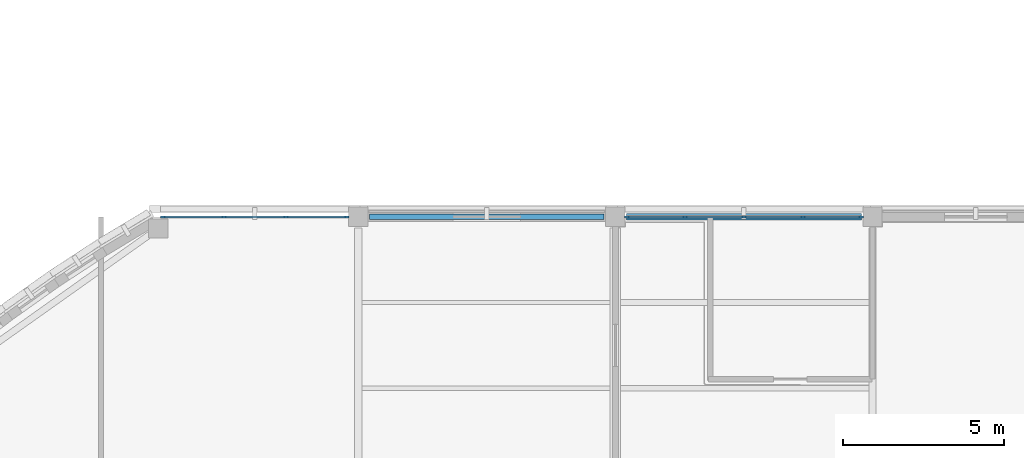
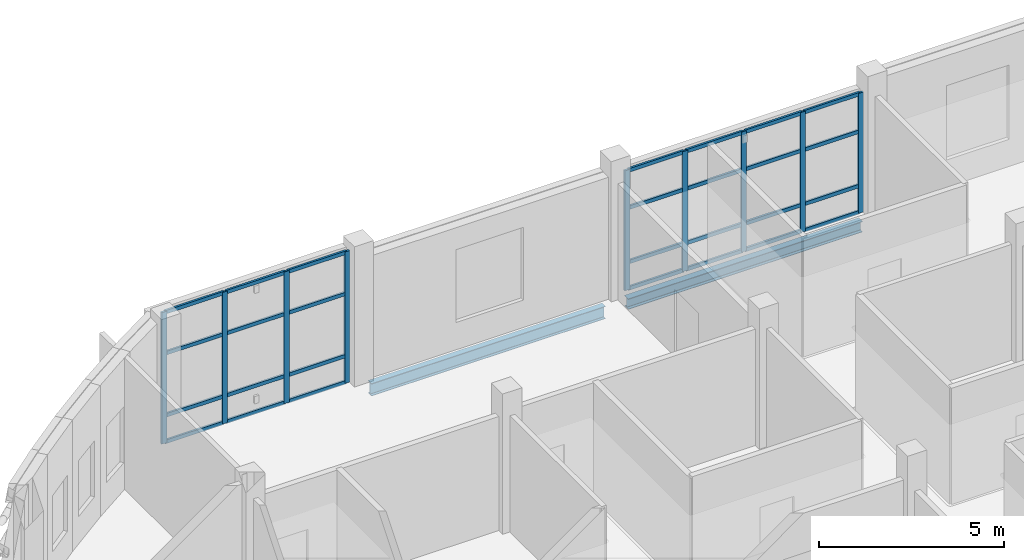
# One storey, part 41 of 121: 37 members, 2 beams, 2 elements without a shape of their own.
"""IFC4 building model written with IfcOpenShell, lengths in metres."""

from ifc_helpers import new_model, si_unit, derived_unit, direction, frame, origin, origin_2d, place, context, subcontext, project, spatial, rectangle, i_section, extrude, material, layer, layer_set, material_profile, profile_set, type_object, element, aggregate, save


model = new_model("IFC4")

# Units and contexts
model_context = context("Model", 3, precision=1e-05, world=origin(), true_north=direction((0.0, 1.0)))
body_context = subcontext(model_context, "Body", "Model", "MODEL_VIEW")
ifc_project = project(units=[si_unit("LENGTHUNIT", "METRE"), si_unit("AREAUNIT", "SQUARE_METRE"), si_unit("VOLUMEUNIT", "CUBIC_METRE"), si_unit("PLANEANGLEUNIT", "RADIAN"), si_unit("MASSUNIT", "GRAM", prefix="KILO"), derived_unit("THERMALTRANSMITTANCEUNIT", [(si_unit("MASSUNIT", "GRAM", prefix="KILO"), 1), (si_unit("TIMEUNIT", "SECOND"), -3), (si_unit("THERMODYNAMICTEMPERATUREUNIT", "KELVIN"), -1)])], contexts=[model_context])

# Site, building, storey
site_placement = place(None, origin())
site = spatial("IfcSite", under=ifc_project, at=site_placement, CompositionType="ELEMENT")
building_placement = place(site_placement, origin())
building = spatial("IfcBuilding", under=site, at=building_placement, Name="Veyamyaing Civic Hall", CompositionType="ELEMENT")
storey_placement = place(building_placement, frame((0.0, 0.0, 5.280029296875)))
storey = spatial("IfcBuildingStorey", under=building, at=storey_placement, Name="L01", CompositionType="ELEMENT", Elevation=5.280029296875)

# Beams
ifc_material_1 = material(Name="Steel ASTM A992", Category="steel")
ifc_material_profile_1 = material_profile(ifc_material_1, i_section(OverallWidth=0.179931640625, OverallDepth=0.4130859375, WebThickness=0.009765625, FlangeThickness=0.01611328125, FilletRadius=0.010009765625, at=origin_2d()), Name="W410X74")
ifc_profile_set_1 = profile_set([ifc_material_profile_1], Name="Steel ASTM A992")
beam_type_1 = type_object("IfcBeamType", Name="B-10", PredefinedType="SPANDREL", material=ifc_profile_set_1)
beam_1_placement = place(storey_placement, frame((80.35009765625, 96.0, -0.451416015625), z_axis=(1.0, 0.0, 0.0), x_axis=(0.0, 1.0, 0.0)))
element("IfcBeam", 1, at=beam_1_placement, inside=storey, type_object=beam_type_1, Name="Girder B-10 L01 Grid N 11-12", PredefinedType="SPANDREL", context=body_context, shape_type="SweptSolid", body=[
    extrude(i_section(OverallWidth=0.179931640625, OverallDepth=0.4130859375, WebThickness=0.009765625, FlangeThickness=0.01611328125, FilletRadius=0.010009765625, at=origin_2d()), origin(), (0.0, 0.0, 1.0), 7.2998046875),
])
ifc_material_profile_2 = material_profile(ifc_material_1, i_section(OverallWidth=0.2041015625, OverallDepth=0.35009765625, WebThickness=0.0078125, FlangeThickness=0.01513671875, FilletRadius=0.010009765625, at=origin_2d()), Name="W360X72")
ifc_profile_set_2 = profile_set([ifc_material_profile_2], Name="Steel ASTM A992")
beam_type_2 = type_object("IfcBeamType", Name="B-11", PredefinedType="SPANDREL", material=ifc_profile_set_2)
beam_2_placement = place(storey_placement, frame((88.35009765625, 96.0, -0.419921875), z_axis=(1.0, 0.0, 0.0), x_axis=(0.0, 1.0, 0.0)))
element("IfcBeam", 2, at=beam_2_placement, inside=storey, type_object=beam_type_2, Name="Girder B-11 L01 Grid N 12-13", PredefinedType="SPANDREL", context=body_context, shape_type="SweptSolid", body=[
    extrude(i_section(OverallWidth=0.2041015625, OverallDepth=0.35009765625, WebThickness=0.0078125, FlangeThickness=0.01513671875, FilletRadius=0.010009765625, at=origin_2d()), origin(), (0.0, 0.0, 1.0), 7.2998046875),
])

# Curtain wall, members
ifc_material_2 = material(Name="Anodised aluminium 6063-T6", Category="aluminium")
ifc_layer = layer(ifc_material_2, 0.159912109375, Name="Anodised aluminium 6063-T6")
ifc_layer_set = layer_set([ifc_layer], Name="Anodised aluminium 6063-T6")
curtain_wall_type = type_object("IfcCurtainWallType", Name="CW-02", PredefinedType="NOTDEFINED", material=ifc_layer_set)
curtain_wall_1_placement = place(storey_placement, origin())
curtain_wall_1 = element("IfcCurtainWall", 3, at=curtain_wall_1_placement, inside=storey, type_object=curtain_wall_type, Name="Unitized curtain wall CW-02 L01 N 10.12", PredefinedType="NOTDEFINED")
ifc_material_profile_3 = material_profile(ifc_material_2, rectangle(XDim=0.06494140625, YDim=0.159912109375, at=origin_2d()), Name="ALU-MUL-65X160")
ifc_profile_set_3 = profile_set([ifc_material_profile_3], Name="Anodised aluminium 6063-T6")
member_type_1 = type_object("IfcMemberType", Name="CWM-01", PredefinedType="MULLION", material=ifc_profile_set_3)
member_1_placement = place(storey_placement, frame((73.931640625, 96.0, 0.0), z_axis=(0.0, 0.0, 1.0), x_axis=(0.0, 1.0, 0.0)))
member_1 = element("IfcMember", 4, at=member_1_placement, type_object=member_type_1, Name="CW-02 mullion 1", PredefinedType="MULLION", context=body_context, shape_type="SweptSolid", body=[
    extrude(rectangle(XDim=0.06494140625, YDim=0.159912109375, at=origin_2d()), origin(), (0.0, 0.0, 1.0), 4.3349609375),
])
member_2_placement = place(storey_placement, frame((75.82275390625, 96.0, 0.0), z_axis=(0.0, 0.0, 1.0), x_axis=(0.0, 1.0, 0.0)))
member_2 = element("IfcMember", 5, at=member_2_placement, type_object=member_type_1, Name="CW-02 mullion 2", PredefinedType="MULLION", context=body_context, shape_type="SweptSolid", body=[
    extrude(rectangle(XDim=0.06494140625, YDim=0.159912109375, at=origin_2d()), origin(), (0.0, 0.0, 1.0), 4.3349609375),
])
member_3_placement = place(storey_placement, frame((77.746337890625, 96.0, 0.0), z_axis=(0.0, 0.0, 1.0), x_axis=(0.0, 1.0, 0.0)))
member_3 = element("IfcMember", 6, at=member_3_placement, type_object=member_type_1, Name="CW-02 mullion 3", PredefinedType="MULLION", context=body_context, shape_type="SweptSolid", body=[
    extrude(rectangle(XDim=0.06494140625, YDim=0.159912109375, at=origin_2d()), origin(), (0.0, 0.0, 1.0), 4.3349609375),
])
member_4_placement = place(storey_placement, frame((79.637451171875, 96.0, 0.0), z_axis=(0.0, 0.0, 1.0), x_axis=(0.0, 1.0, 0.0)))
member_4 = element("IfcMember", 7, at=member_4_placement, type_object=member_type_1, Name="CW-02 mullion 4", PredefinedType="MULLION", context=body_context, shape_type="SweptSolid", body=[
    extrude(rectangle(XDim=0.06494140625, YDim=0.159912109375, at=origin_2d()), origin(), (0.0, 0.0, 1.0), 4.3349609375),
])

curtain_wall_2_placement = place(storey_placement, origin())
curtain_wall_2 = element("IfcCurtainWall", 8, at=curtain_wall_2_placement, inside=storey, type_object=curtain_wall_type, Name="Unitized curtain wall CW-02 L01 N 12.12", PredefinedType="NOTDEFINED")
member_5_placement = place(storey_placement, frame((88.362548828125, 96.0, 0.0), z_axis=(0.0, 0.0, 1.0), x_axis=(0.0, 1.0, 0.0)))
member_5 = element("IfcMember", 9, at=member_5_placement, type_object=member_type_1, Name="CW-02 mullion 1", PredefinedType="MULLION", context=body_context, shape_type="SweptSolid", body=[
    extrude(rectangle(XDim=0.06494140625, YDim=0.159912109375, at=origin_2d()), origin(), (0.0, 0.0, 1.0), 3.955078125),
])
member_6_placement = place(storey_placement, frame((90.1650390625, 96.0, 0.0), z_axis=(0.0, 0.0, 1.0), x_axis=(0.0, 1.0, 0.0)))
member_6 = element("IfcMember", 10, at=member_6_placement, type_object=member_type_1, Name="CW-02 mullion 2", PredefinedType="MULLION", context=body_context, shape_type="SweptSolid", body=[
    extrude(rectangle(XDim=0.06494140625, YDim=0.159912109375, at=origin_2d()), origin(), (0.0, 0.0, 1.0), 3.955078125),
])
member_7_placement = place(storey_placement, frame((92.0, 96.0, 0.0), z_axis=(0.0, 0.0, 1.0), x_axis=(0.0, 1.0, 0.0)))
member_7 = element("IfcMember", 11, at=member_7_placement, type_object=member_type_1, Name="CW-02 mullion 3", PredefinedType="MULLION", context=body_context, shape_type="SweptSolid", body=[
    extrude(rectangle(XDim=0.06494140625, YDim=0.159912109375, at=origin_2d()), origin(), (0.0, 0.0, 1.0), 3.955078125),
])
member_8_placement = place(storey_placement, frame((93.8349609375, 96.0, 0.0), z_axis=(0.0, 0.0, 1.0), x_axis=(0.0, 1.0, 0.0)))
member_8 = element("IfcMember", 12, at=member_8_placement, type_object=member_type_1, Name="CW-02 mullion 4", PredefinedType="MULLION", context=body_context, shape_type="SweptSolid", body=[
    extrude(rectangle(XDim=0.06494140625, YDim=0.159912109375, at=origin_2d()), origin(), (0.0, 0.0, 1.0), 3.955078125),
])
member_9_placement = place(storey_placement, frame((95.637451171875, 96.0, 0.0), z_axis=(0.0, 0.0, 1.0), x_axis=(0.0, 1.0, 0.0)))
member_9 = element("IfcMember", 13, at=member_9_placement, type_object=member_type_1, Name="CW-02 mullion 5", PredefinedType="MULLION", context=body_context, shape_type="SweptSolid", body=[
    extrude(rectangle(XDim=0.06494140625, YDim=0.159912109375, at=origin_2d()), origin(), (0.0, 0.0, 1.0), 3.955078125),
])

# Member
ifc_material_profile_4 = material_profile(ifc_material_2, rectangle(XDim=0.06494140625, YDim=0.1201171875, at=origin_2d()), Name="ALU-TRN-65X120")
ifc_profile_set_4 = profile_set([ifc_material_profile_4], Name="Anodised aluminium 6063-T6")
member_type_2 = type_object("IfcMemberType", Name="CWT-01", PredefinedType="USERDEFINED", material=ifc_profile_set_4)
member_10_placement = place(storey_placement, frame((73.964111328125, 96.0, 0.032470703125), z_axis=(1.0, 0.0, 0.0), x_axis=(0.0, 1.0, 0.0)))
member_10 = element("IfcMember", 14, at=member_10_placement, type_object=member_type_2, Name="CW-02 transom 1.1", ObjectType="TRANSOM", PredefinedType="USERDEFINED", context=body_context, shape_type="SweptSolid", body=[
    extrude(rectangle(XDim=0.06494140625, YDim=0.1201171875, at=origin_2d()), origin(), (0.0, 0.0, 1.0), 1.826171875),
])

member_11_placement = place(storey_placement, frame((73.964111328125, 96.0, 0.89990234375), z_axis=(1.0, 0.0, 0.0), x_axis=(0.0, 1.0, 0.0)))
member_11 = element("IfcMember", 15, at=member_11_placement, type_object=member_type_2, Name="CW-02 transom 1.2", ObjectType="TRANSOM", PredefinedType="USERDEFINED", context=body_context, shape_type="SweptSolid", body=[
    extrude(rectangle(XDim=0.06494140625, YDim=0.1201171875, at=origin_2d()), origin(), (0.0, 0.0, 1.0), 1.826171875),
])

member_12_placement = place(storey_placement, frame((73.964111328125, 96.0, 2.94775390625), z_axis=(1.0, 0.0, 0.0), x_axis=(0.0, 1.0, 0.0)))
member_12 = element("IfcMember", 16, at=member_12_placement, type_object=member_type_2, Name="CW-02 transom 1.3", ObjectType="TRANSOM", PredefinedType="USERDEFINED", context=body_context, shape_type="SweptSolid", body=[
    extrude(rectangle(XDim=0.06494140625, YDim=0.1201171875, at=origin_2d()), origin(), (0.0, 0.0, 1.0), 1.826171875),
])

member_13_placement = place(storey_placement, frame((73.964111328125, 96.0, 4.302490234375), z_axis=(1.0, 0.0, 0.0), x_axis=(0.0, 1.0, 0.0)))
member_13 = element("IfcMember", 17, at=member_13_placement, type_object=member_type_2, Name="CW-02 transom 1.4", ObjectType="TRANSOM", PredefinedType="USERDEFINED", context=body_context, shape_type="SweptSolid", body=[
    extrude(rectangle(XDim=0.06494140625, YDim=0.1201171875, at=origin_2d()), origin(), (0.0, 0.0, 1.0), 1.826171875),
])

member_14_placement = place(storey_placement, frame((75.855224609375, 96.0, 0.032470703125), z_axis=(1.0, 0.0, 0.0), x_axis=(0.0, 1.0, 0.0)))
member_14 = element("IfcMember", 18, at=member_14_placement, type_object=member_type_2, Name="CW-02 transom 2.1", ObjectType="TRANSOM", PredefinedType="USERDEFINED", context=body_context, shape_type="SweptSolid", body=[
    extrude(rectangle(XDim=0.06494140625, YDim=0.1201171875, at=origin_2d()), origin(), (0.0, 0.0, 1.0), 1.858642578125),
])

member_15_placement = place(storey_placement, frame((75.855224609375, 96.0, 0.89990234375), z_axis=(1.0, 0.0, 0.0), x_axis=(0.0, 1.0, 0.0)))
member_15 = element("IfcMember", 19, at=member_15_placement, type_object=member_type_2, Name="CW-02 transom 2.2", ObjectType="TRANSOM", PredefinedType="USERDEFINED", context=body_context, shape_type="SweptSolid", body=[
    extrude(rectangle(XDim=0.06494140625, YDim=0.1201171875, at=origin_2d()), origin(), (0.0, 0.0, 1.0), 1.858642578125),
])

member_16_placement = place(storey_placement, frame((75.855224609375, 96.0, 2.94775390625), z_axis=(1.0, 0.0, 0.0), x_axis=(0.0, 1.0, 0.0)))
member_16 = element("IfcMember", 20, at=member_16_placement, type_object=member_type_2, Name="CW-02 transom 2.3", ObjectType="TRANSOM", PredefinedType="USERDEFINED", context=body_context, shape_type="SweptSolid", body=[
    extrude(rectangle(XDim=0.06494140625, YDim=0.1201171875, at=origin_2d()), origin(), (0.0, 0.0, 1.0), 1.858642578125),
])

member_17_placement = place(storey_placement, frame((75.855224609375, 96.0, 4.302490234375), z_axis=(1.0, 0.0, 0.0), x_axis=(0.0, 1.0, 0.0)))
member_17 = element("IfcMember", 21, at=member_17_placement, type_object=member_type_2, Name="CW-02 transom 2.4", ObjectType="TRANSOM", PredefinedType="USERDEFINED", context=body_context, shape_type="SweptSolid", body=[
    extrude(rectangle(XDim=0.06494140625, YDim=0.1201171875, at=origin_2d()), origin(), (0.0, 0.0, 1.0), 1.858642578125),
])

member_18_placement = place(storey_placement, frame((77.77880859375, 96.0, 0.032470703125), z_axis=(1.0, 0.0, 0.0), x_axis=(0.0, 1.0, 0.0)))
member_18 = element("IfcMember", 22, at=member_18_placement, type_object=member_type_2, Name="CW-02 transom 3.1", ObjectType="TRANSOM", PredefinedType="USERDEFINED", context=body_context, shape_type="SweptSolid", body=[
    extrude(rectangle(XDim=0.06494140625, YDim=0.1201171875, at=origin_2d()), origin(), (0.0, 0.0, 1.0), 1.826171875),
])

member_19_placement = place(storey_placement, frame((77.77880859375, 96.0, 0.89990234375), z_axis=(1.0, 0.0, 0.0), x_axis=(0.0, 1.0, 0.0)))
member_19 = element("IfcMember", 23, at=member_19_placement, type_object=member_type_2, Name="CW-02 transom 3.2", ObjectType="TRANSOM", PredefinedType="USERDEFINED", context=body_context, shape_type="SweptSolid", body=[
    extrude(rectangle(XDim=0.06494140625, YDim=0.1201171875, at=origin_2d()), origin(), (0.0, 0.0, 1.0), 1.826171875),
])

member_20_placement = place(storey_placement, frame((77.77880859375, 96.0, 2.94775390625), z_axis=(1.0, 0.0, 0.0), x_axis=(0.0, 1.0, 0.0)))
member_20 = element("IfcMember", 24, at=member_20_placement, type_object=member_type_2, Name="CW-02 transom 3.3", ObjectType="TRANSOM", PredefinedType="USERDEFINED", context=body_context, shape_type="SweptSolid", body=[
    extrude(rectangle(XDim=0.06494140625, YDim=0.1201171875, at=origin_2d()), origin(), (0.0, 0.0, 1.0), 1.826171875),
])

member_21_placement = place(storey_placement, frame((77.77880859375, 96.0, 4.302490234375), z_axis=(1.0, 0.0, 0.0), x_axis=(0.0, 1.0, 0.0)))
member_21 = element("IfcMember", 25, at=member_21_placement, type_object=member_type_2, Name="CW-02 transom 3.4", ObjectType="TRANSOM", PredefinedType="USERDEFINED", context=body_context, shape_type="SweptSolid", body=[
    extrude(rectangle(XDim=0.06494140625, YDim=0.1201171875, at=origin_2d()), origin(), (0.0, 0.0, 1.0), 1.826171875),
])

aggregate(curtain_wall_1, [member_1, member_2, member_3, member_4, member_10, member_11, member_12, member_13, member_14, member_15, member_16, member_17, member_18, member_19, member_20, member_21])

member_22_placement = place(storey_placement, frame((88.39501953125, 96.0, 0.032470703125), z_axis=(1.0, 0.0, 0.0), x_axis=(0.0, 1.0, 0.0)))
member_22 = element("IfcMember", 26, at=member_22_placement, type_object=member_type_2, Name="CW-02 transom 1.1", ObjectType="TRANSOM", PredefinedType="USERDEFINED", context=body_context, shape_type="SweptSolid", body=[
    extrude(rectangle(XDim=0.06494140625, YDim=0.1201171875, at=origin_2d()), origin(), (0.0, 0.0, 1.0), 1.737548828125),
])

member_23_placement = place(storey_placement, frame((88.39501953125, 96.0, 0.89990234375), z_axis=(1.0, 0.0, 0.0), x_axis=(0.0, 1.0, 0.0)))
member_23 = element("IfcMember", 27, at=member_23_placement, type_object=member_type_2, Name="CW-02 transom 1.2", ObjectType="TRANSOM", PredefinedType="USERDEFINED", context=body_context, shape_type="SweptSolid", body=[
    extrude(rectangle(XDim=0.06494140625, YDim=0.1201171875, at=origin_2d()), origin(), (0.0, 0.0, 1.0), 1.737548828125),
])

member_24_placement = place(storey_placement, frame((88.39501953125, 96.0, 2.689453125), z_axis=(1.0, 0.0, 0.0), x_axis=(0.0, 1.0, 0.0)))
member_24 = element("IfcMember", 28, at=member_24_placement, type_object=member_type_2, Name="CW-02 transom 1.3", ObjectType="TRANSOM", PredefinedType="USERDEFINED", context=body_context, shape_type="SweptSolid", body=[
    extrude(rectangle(XDim=0.06494140625, YDim=0.1201171875, at=origin_2d()), origin(), (0.0, 0.0, 1.0), 1.737548828125),
])

member_25_placement = place(storey_placement, frame((88.39501953125, 96.0, 3.92236328125), z_axis=(1.0, 0.0, 0.0), x_axis=(0.0, 1.0, 0.0)))
member_25 = element("IfcMember", 29, at=member_25_placement, type_object=member_type_2, Name="CW-02 transom 1.4", ObjectType="TRANSOM", PredefinedType="USERDEFINED", context=body_context, shape_type="SweptSolid", body=[
    extrude(rectangle(XDim=0.06494140625, YDim=0.1201171875, at=origin_2d()), origin(), (0.0, 0.0, 1.0), 1.737548828125),
])

member_26_placement = place(storey_placement, frame((90.197509765625, 96.0, 0.032470703125), z_axis=(1.0, 0.0, 0.0), x_axis=(0.0, 1.0, 0.0)))
member_26 = element("IfcMember", 30, at=member_26_placement, type_object=member_type_2, Name="CW-02 transom 2.1", ObjectType="TRANSOM", PredefinedType="USERDEFINED", context=body_context, shape_type="SweptSolid", body=[
    extrude(rectangle(XDim=0.06494140625, YDim=0.1201171875, at=origin_2d()), origin(), (0.0, 0.0, 1.0), 1.77001953125),
])

member_27_placement = place(storey_placement, frame((90.197509765625, 96.0, 0.89990234375), z_axis=(1.0, 0.0, 0.0), x_axis=(0.0, 1.0, 0.0)))
member_27 = element("IfcMember", 31, at=member_27_placement, type_object=member_type_2, Name="CW-02 transom 2.2", ObjectType="TRANSOM", PredefinedType="USERDEFINED", context=body_context, shape_type="SweptSolid", body=[
    extrude(rectangle(XDim=0.06494140625, YDim=0.1201171875, at=origin_2d()), origin(), (0.0, 0.0, 1.0), 1.77001953125),
])

member_28_placement = place(storey_placement, frame((90.197509765625, 96.0, 2.689453125), z_axis=(1.0, 0.0, 0.0), x_axis=(0.0, 1.0, 0.0)))
member_28 = element("IfcMember", 32, at=member_28_placement, type_object=member_type_2, Name="CW-02 transom 2.3", ObjectType="TRANSOM", PredefinedType="USERDEFINED", context=body_context, shape_type="SweptSolid", body=[
    extrude(rectangle(XDim=0.06494140625, YDim=0.1201171875, at=origin_2d()), origin(), (0.0, 0.0, 1.0), 1.77001953125),
])

member_29_placement = place(storey_placement, frame((90.197509765625, 96.0, 3.92236328125), z_axis=(1.0, 0.0, 0.0), x_axis=(0.0, 1.0, 0.0)))
member_29 = element("IfcMember", 33, at=member_29_placement, type_object=member_type_2, Name="CW-02 transom 2.4", ObjectType="TRANSOM", PredefinedType="USERDEFINED", context=body_context, shape_type="SweptSolid", body=[
    extrude(rectangle(XDim=0.06494140625, YDim=0.1201171875, at=origin_2d()), origin(), (0.0, 0.0, 1.0), 1.77001953125),
])

member_30_placement = place(storey_placement, frame((92.032470703125, 96.0, 0.032470703125), z_axis=(1.0, 0.0, 0.0), x_axis=(0.0, 1.0, 0.0)))
member_30 = element("IfcMember", 34, at=member_30_placement, type_object=member_type_2, Name="CW-02 transom 3.1", ObjectType="TRANSOM", PredefinedType="USERDEFINED", context=body_context, shape_type="SweptSolid", body=[
    extrude(rectangle(XDim=0.06494140625, YDim=0.1201171875, at=origin_2d()), origin(), (0.0, 0.0, 1.0), 1.77001953125),
])

member_31_placement = place(storey_placement, frame((92.032470703125, 96.0, 0.89990234375), z_axis=(1.0, 0.0, 0.0), x_axis=(0.0, 1.0, 0.0)))
member_31 = element("IfcMember", 35, at=member_31_placement, type_object=member_type_2, Name="CW-02 transom 3.2", ObjectType="TRANSOM", PredefinedType="USERDEFINED", context=body_context, shape_type="SweptSolid", body=[
    extrude(rectangle(XDim=0.06494140625, YDim=0.1201171875, at=origin_2d()), origin(), (0.0, 0.0, 1.0), 1.77001953125),
])

member_32_placement = place(storey_placement, frame((92.032470703125, 96.0, 2.689453125), z_axis=(1.0, 0.0, 0.0), x_axis=(0.0, 1.0, 0.0)))
member_32 = element("IfcMember", 36, at=member_32_placement, type_object=member_type_2, Name="CW-02 transom 3.3", ObjectType="TRANSOM", PredefinedType="USERDEFINED", context=body_context, shape_type="SweptSolid", body=[
    extrude(rectangle(XDim=0.06494140625, YDim=0.1201171875, at=origin_2d()), origin(), (0.0, 0.0, 1.0), 1.77001953125),
])

member_33_placement = place(storey_placement, frame((92.032470703125, 96.0, 3.92236328125), z_axis=(1.0, 0.0, 0.0), x_axis=(0.0, 1.0, 0.0)))
member_33 = element("IfcMember", 37, at=member_33_placement, type_object=member_type_2, Name="CW-02 transom 3.4", ObjectType="TRANSOM", PredefinedType="USERDEFINED", context=body_context, shape_type="SweptSolid", body=[
    extrude(rectangle(XDim=0.06494140625, YDim=0.1201171875, at=origin_2d()), origin(), (0.0, 0.0, 1.0), 1.77001953125),
])

member_34_placement = place(storey_placement, frame((93.867431640625, 96.0, 0.032470703125), z_axis=(1.0, 0.0, 0.0), x_axis=(0.0, 1.0, 0.0)))
member_34 = element("IfcMember", 38, at=member_34_placement, type_object=member_type_2, Name="CW-02 transom 4.1", ObjectType="TRANSOM", PredefinedType="USERDEFINED", context=body_context, shape_type="SweptSolid", body=[
    extrude(rectangle(XDim=0.06494140625, YDim=0.1201171875, at=origin_2d()), origin(), (0.0, 0.0, 1.0), 1.737548828125),
])

member_35_placement = place(storey_placement, frame((93.867431640625, 96.0, 0.89990234375), z_axis=(1.0, 0.0, 0.0), x_axis=(0.0, 1.0, 0.0)))
member_35 = element("IfcMember", 39, at=member_35_placement, type_object=member_type_2, Name="CW-02 transom 4.2", ObjectType="TRANSOM", PredefinedType="USERDEFINED", context=body_context, shape_type="SweptSolid", body=[
    extrude(rectangle(XDim=0.06494140625, YDim=0.1201171875, at=origin_2d()), origin(), (0.0, 0.0, 1.0), 1.737548828125),
])

member_36_placement = place(storey_placement, frame((93.867431640625, 96.0, 2.689453125), z_axis=(1.0, 0.0, 0.0), x_axis=(0.0, 1.0, 0.0)))
member_36 = element("IfcMember", 40, at=member_36_placement, type_object=member_type_2, Name="CW-02 transom 4.3", ObjectType="TRANSOM", PredefinedType="USERDEFINED", context=body_context, shape_type="SweptSolid", body=[
    extrude(rectangle(XDim=0.06494140625, YDim=0.1201171875, at=origin_2d()), origin(), (0.0, 0.0, 1.0), 1.737548828125),
])

member_37_placement = place(storey_placement, frame((93.867431640625, 96.0, 3.92236328125), z_axis=(1.0, 0.0, 0.0), x_axis=(0.0, 1.0, 0.0)))
member_37 = element("IfcMember", 41, at=member_37_placement, type_object=member_type_2, Name="CW-02 transom 4.4", ObjectType="TRANSOM", PredefinedType="USERDEFINED", context=body_context, shape_type="SweptSolid", body=[
    extrude(rectangle(XDim=0.06494140625, YDim=0.1201171875, at=origin_2d()), origin(), (0.0, 0.0, 1.0), 1.737548828125),
])

aggregate(curtain_wall_2, [member_5, member_6, member_7, member_8, member_9, member_22, member_23, member_24, member_25, member_26, member_27, member_28, member_29, member_30, member_31, member_32, member_33, member_34, member_35, member_36, member_37])

save(model, "model.ifc")
